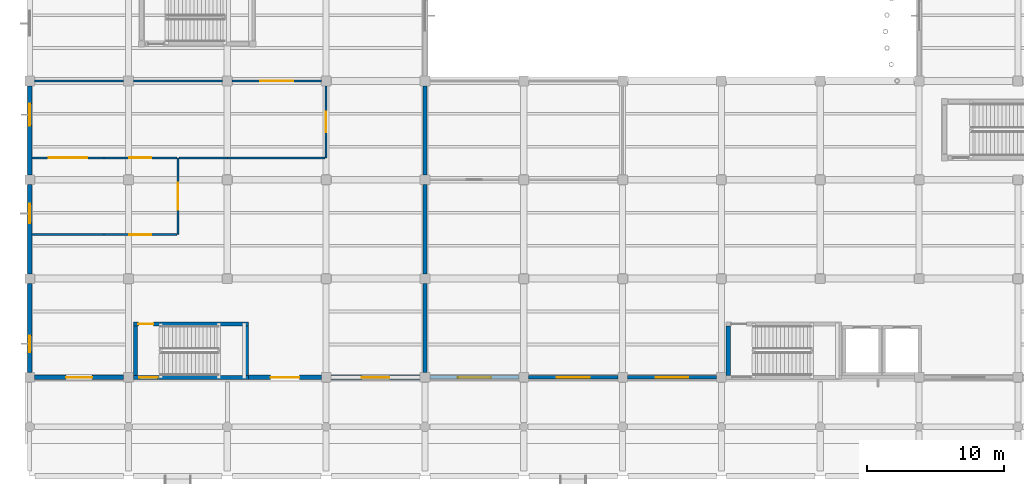
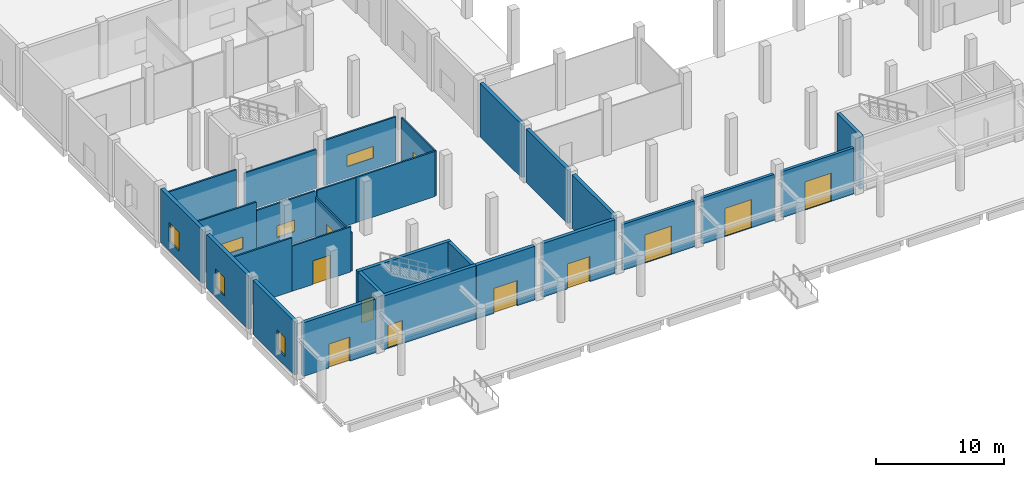
# One storey, part 22 of 46: 28 walls, 10 doors, 7 windows, 17 openings.
"""IFC4 building model written with IfcOpenShell, lengths in metres."""

from ifc_helpers import new_model, si_unit, direction, frame, frame_2d, origin, place, context, subcontext, project, spatial, rectangle, extrude, material, layer, layer_set, type_object, element, fill, save


model = new_model("IFC4")

# Units and contexts
model_context = context("Model", 3, precision=1e-05, world=origin(), true_north=direction((0.0, 1.0)))
body_context = subcontext(model_context, "Body", "Model", "MODEL_VIEW")
ifc_project = project(units=[si_unit("LENGTHUNIT", "METRE"), si_unit("AREAUNIT", "SQUARE_METRE"), si_unit("VOLUMEUNIT", "CUBIC_METRE"), si_unit("PLANEANGLEUNIT", "RADIAN"), si_unit("MASSUNIT", "GRAM", prefix="KILO"), si_unit("THERMODYNAMICTEMPERATUREUNIT", "KELVIN"), si_unit("POWERUNIT", "WATT")], contexts=[model_context])

# Site, building, storey
site_placement = place(None, origin())
site = spatial("IfcSite", under=ifc_project, at=site_placement, CompositionType="ELEMENT")
building_placement = place(site_placement, origin())
building = spatial("IfcBuilding", under=site, at=building_placement, Name="Kaldorven Railside Theatre", CompositionType="ELEMENT")
storey_placement = place(building_placement, origin())
storey = spatial("IfcBuildingStorey", under=building, at=storey_placement, Name="L00", CompositionType="ELEMENT", Elevation=0.0)

# Wall, opening, door
ifc_material_1 = material(Name="Architectural concrete C40/50", Category="concrete")
ifc_layer_1 = layer(ifc_material_1, 0.320068359375, Name="Architectural concrete C40/50")
ifc_layer_set_1 = layer_set([ifc_layer_1], Name="Architectural concrete C40/50")
wall_type_1 = type_object("IfcWallType", Name="WL-EW04", PredefinedType="SOLIDWALL", material=ifc_layer_set_1)
wall_1_placement = place(storey_placement, frame((36.449951171875, 19.199951171875, 0.0), z_axis=(0.0, 0.0, 1.0), x_axis=(-1.0, 0.0, 0.0)))
wall_1 = element("IfcWall", 1, at=wall_1_placement, inside=storey, type_object=wall_type_1, Name="V3 L00 Exterior Wall EW-0132", PredefinedType="SOLIDWALL", context=body_context, shape_type="SweptSolid", body=[
    extrude(rectangle(XDim=6.5, YDim=0.320068359375, at=frame_2d((3.25, 0.0))), origin(), (0.0, 0.0, 1.0), 5.1201171875),
])
opening_1_placement = place(wall_1_placement, frame((2.25, 0.0, 0.0)))
opening_1 = element("IfcOpeningElement", 2, at=opening_1_placement, cuts=wall_1, Name="Opening ED-001", PredefinedType="OPENING", context=body_context, shape_type="SweptSolid", body=[
    extrude(rectangle(XDim=2.0, YDim=2.39990234375, at=frame_2d((1.0, 1.199951171875))), frame((0.0, 0.169921875, 0.0), z_axis=(0.0, -1.0, 0.0), x_axis=(1.0, 0.0, 0.0)), (0.0, 0.0, 1.0), 0.340087890625),
])
ifc_material_2 = material(Name="Anodised bronze aluminium", Category="aluminium")
door_type_1 = type_object("IfcDoorType", Name="DR-ED01", OperationType="NOTDEFINED", PredefinedType="DOOR", material=ifc_material_2)
door_1_placement = place(opening_1_placement, origin())
door_1 = element("IfcDoor", 3, at=door_1_placement, inside=storey, type_object=door_type_1, Name="Main Entrance ED-001", OperationType="DOUBLE_DOOR_SINGLE_SWING", OverallHeight=2.39990234375, OverallWidth=2.0, PredefinedType="DOOR", context=body_context, shape_type="SweptSolid", body=[
    extrude(rectangle(XDim=2.0, YDim=2.39990234375, at=frame_2d((1.0, 1.199951171875))), frame((0.0, 0.02490234375, 0.0), z_axis=(0.0, -1.0, 0.0), x_axis=(1.0, 0.0, 0.0)), (0.0, 0.0, 1.0), 0.050048828125),
])
fill(opening_1, door_1)

wall_2_placement = place(storey_placement, frame((29.25, 19.199951171875, 0.0), z_axis=(0.0, 0.0, 1.0), x_axis=(-1.0, 0.0, 0.0)))
wall_2 = element("IfcWall", 4, at=wall_2_placement, inside=storey, type_object=wall_type_1, Name="V3 L00 Exterior Wall EW-0133", PredefinedType="SOLIDWALL", context=body_context, shape_type="SweptSolid", body=[
    extrude(rectangle(XDim=5.300048828125, YDim=0.320068359375, at=frame_2d((2.64990234375, 0.0))), origin(), (0.0, 0.0, 1.0), 5.1201171875),
])
opening_2_placement = place(wall_2_placement, frame((1.60009765625, 0.0, 0.0)))
opening_2 = element("IfcOpeningElement", 5, at=opening_2_placement, cuts=wall_2, Name="Opening ED-002", PredefinedType="OPENING", context=body_context, shape_type="SweptSolid", body=[
    extrude(rectangle(XDim=2.10009765625, YDim=2.39990234375, at=frame_2d((1.050048828125, 1.199951171875))), frame((0.0, 0.169921875, 0.0), z_axis=(0.0, -1.0, 0.0), x_axis=(1.0, 0.0, 0.0)), (0.0, 0.0, 1.0), 0.340087890625),
])
door_type_2 = type_object("IfcDoorType", Name="DR-ED02", OperationType="NOTDEFINED", PredefinedType="DOOR", material=ifc_material_2)
door_2_placement = place(opening_2_placement, origin())
door_2 = element("IfcDoor", 6, at=door_2_placement, inside=storey, type_object=door_type_2, Name="Main Entrance ED-002", OperationType="DOUBLE_DOOR_SINGLE_SWING", OverallHeight=2.39990234375, OverallWidth=2.10009765625, PredefinedType="DOOR", context=body_context, shape_type="SweptSolid", body=[
    extrude(rectangle(XDim=2.10009765625, YDim=2.39990234375, at=frame_2d((1.050048828125, 1.199951171875))), frame((0.0, 0.02490234375, 0.0), z_axis=(0.0, -1.0, 0.0), x_axis=(1.0, 0.0, 0.0)), (0.0, 0.0, 1.0), 0.050048828125),
])
fill(opening_2, door_2)

wall_3_placement = place(storey_placement, frame((14.85009765625, 19.199951171875, 0.0), z_axis=(0.0, 0.0, 1.0), x_axis=(-1.0, 0.0, 0.0)))
wall_3 = element("IfcWall", 7, at=wall_3_placement, inside=storey, type_object=wall_type_1, Name="V3 L00 Exterior Wall EW-0134", PredefinedType="SOLIDWALL", context=body_context, shape_type="SweptSolid", body=[
    extrude(rectangle(XDim=6.5, YDim=0.320068359375, at=frame_2d((3.25, 0.0))), origin(), (0.0, 0.0, 1.0), 5.1201171875),
])
opening_3_placement = place(wall_3_placement, frame((2.300048828125, 0.0, 0.0)))
opening_3 = element("IfcOpeningElement", 8, at=opening_3_placement, cuts=wall_3, Name="Opening ED-003", PredefinedType="OPENING", context=body_context, shape_type="SweptSolid", body=[
    extrude(rectangle(XDim=1.89990234375, YDim=2.300048828125, at=frame_2d((0.949951171875, 1.14990234375))), frame((0.0, 0.169921875, 0.0), z_axis=(0.0, -1.0, 0.0), x_axis=(1.0, 0.0, 0.0)), (0.0, 0.0, 1.0), 0.340087890625),
])
door_type_3 = type_object("IfcDoorType", Name="DR-ED03", OperationType="NOTDEFINED", PredefinedType="DOOR", material=ifc_material_2)
door_3_placement = place(opening_3_placement, origin())
door_3 = element("IfcDoor", 9, at=door_3_placement, inside=storey, type_object=door_type_3, Name="Main Entrance ED-003", OperationType="DOUBLE_DOOR_SINGLE_SWING", OverallHeight=2.300048828125, OverallWidth=1.89990234375, PredefinedType="DOOR", context=body_context, shape_type="SweptSolid", body=[
    extrude(rectangle(XDim=1.89990234375, YDim=2.300048828125, at=frame_2d((0.949951171875, 1.14990234375))), frame((0.0, 0.02490234375, 0.0), z_axis=(0.0, -1.0, 0.0), x_axis=(1.0, 0.0, 0.0)), (0.0, 0.0, 1.0), 0.050048828125),
])
fill(opening_3, door_3)

# Wall, opening, window
wall_4_placement = place(storey_placement, frame((8.0, 19.550048828125, 0.0), z_axis=(0.0, 0.0, 1.0), x_axis=(0.0, 1.0, 0.0)))
wall_4 = element("IfcWall", 10, at=wall_4_placement, inside=storey, type_object=wall_type_1, Name="V3 L00 Exterior Wall EW-0135", PredefinedType="SOLIDWALL", context=body_context, shape_type="SweptSolid", body=[
    extrude(rectangle(XDim=6.5, YDim=0.320068359375, at=frame_2d((3.25, 0.0))), origin(), (0.0, 0.0, 1.0), 5.1201171875),
])
opening_4_placement = place(wall_4_placement, frame((1.5, 0.0, 0.89990234375)))
opening_4 = element("IfcOpeningElement", 11, at=opening_4_placement, cuts=wall_4, Name="Opening WN-001", PredefinedType="OPENING", context=body_context, shape_type="SweptSolid", body=[
    extrude(rectangle(XDim=1.199951171875, YDim=1.800048828125, at=frame_2d((0.60009765625, 0.89990234375))), frame((0.0, 0.169921875, 0.0), z_axis=(0.0, -1.0, 0.0), x_axis=(1.0, 0.0, 0.0)), (0.0, 0.0, 1.0), 0.340087890625),
])
ifc_material_3 = material(Name="Low-E laminated solar-control glass", Category="glass")
window_type_1 = type_object("IfcWindowType", Name="WN-EW01", PartitioningType="SINGLE_PANEL", PredefinedType="WINDOW", material=ifc_material_3)
window_1_placement = place(opening_4_placement, origin())
window_1 = element("IfcWindow", 12, at=window_1_placement, inside=storey, type_object=window_type_1, Name="Shaded Acoustic Exterior Window WN-001", OverallHeight=1.800048828125, OverallWidth=1.199951171875, PartitioningType="SINGLE_PANEL", PredefinedType="WINDOW", context=body_context, shape_type="SweptSolid", body=[
    extrude(rectangle(XDim=1.199951171875, YDim=1.800048828125, at=frame_2d((0.60009765625, 0.89990234375))), frame((0.0, 0.030029296875, 0.0), z_axis=(0.0, -1.0, 0.0), x_axis=(1.0, 0.0, 0.0)), (0.0, 0.0, 1.0), 0.06005859375),
])
fill(opening_4, window_1)

wall_5_placement = place(storey_placement, frame((8.0, 26.75, 0.0), z_axis=(0.0, 0.0, 1.0), x_axis=(0.0, 1.0, 0.0)))
wall_5 = element("IfcWall", 13, at=wall_5_placement, inside=storey, type_object=wall_type_1, Name="V3 L00 Exterior Wall EW-0136", PredefinedType="SOLIDWALL", context=body_context, shape_type="SweptSolid", body=[
    extrude(rectangle(XDim=6.5, YDim=0.320068359375, at=frame_2d((3.25, 0.0))), origin(), (0.0, 0.0, 1.0), 5.1201171875),
])
opening_5_placement = place(wall_5_placement, frame((3.699951171875, 0.0, 0.89990234375)))
opening_5 = element("IfcOpeningElement", 14, at=opening_5_placement, cuts=wall_5, Name="Opening WN-002", PredefinedType="OPENING", context=body_context, shape_type="SweptSolid", body=[
    extrude(rectangle(XDim=1.39990234375, YDim=1.800048828125, at=frame_2d((0.699951171875, 0.89990234375))), frame((0.0, 0.169921875, 0.0), z_axis=(0.0, -1.0, 0.0), x_axis=(1.0, 0.0, 0.0)), (0.0, 0.0, 1.0), 0.340087890625),
])
window_type_2 = type_object("IfcWindowType", Name="WN-EW02", PartitioningType="SINGLE_PANEL", PredefinedType="WINDOW", material=ifc_material_3)
window_2_placement = place(opening_5_placement, origin())
window_2 = element("IfcWindow", 15, at=window_2_placement, inside=storey, type_object=window_type_2, Name="Shaded Acoustic Exterior Window WN-002", OverallHeight=1.800048828125, OverallWidth=1.39990234375, PartitioningType="SINGLE_PANEL", PredefinedType="WINDOW", context=body_context, shape_type="SweptSolid", body=[
    extrude(rectangle(XDim=1.39990234375, YDim=1.800048828125, at=frame_2d((0.699951171875, 0.89990234375))), frame((0.0, 0.030029296875, 0.0), z_axis=(0.0, -1.0, 0.0), x_axis=(1.0, 0.0, 0.0)), (0.0, 0.0, 1.0), 0.06005859375),
])
fill(opening_5, window_2)

wall_6_placement = place(storey_placement, frame((8.0, 33.949951171875, 0.0), z_axis=(0.0, 0.0, 1.0), x_axis=(0.0, 1.0, 0.0)))
wall_6 = element("IfcWall", 16, at=wall_6_placement, inside=storey, type_object=wall_type_1, Name="V3 L00 Exterior Wall EW-0137", PredefinedType="SOLIDWALL", context=body_context, shape_type="SweptSolid", body=[
    extrude(rectangle(XDim=6.5, YDim=0.320068359375, at=frame_2d((3.25, 0.0))), origin(), (0.0, 0.0, 1.0), 5.1201171875),
])
opening_6_placement = place(wall_6_placement, frame((3.60009765625, 0.0, 0.89990234375)))
opening_6 = element("IfcOpeningElement", 17, at=opening_6_placement, cuts=wall_6, Name="Opening WN-003", PredefinedType="OPENING", context=body_context, shape_type="SweptSolid", body=[
    extrude(rectangle(XDim=1.60009765625, YDim=1.800048828125, at=frame_2d((0.800048828125, 0.89990234375))), frame((0.0, 0.169921875, 0.0), z_axis=(0.0, -1.0, 0.0), x_axis=(1.0, 0.0, 0.0)), (0.0, 0.0, 1.0), 0.340087890625),
])
window_type_3 = type_object("IfcWindowType", Name="WN-EW03", PartitioningType="SINGLE_PANEL", PredefinedType="WINDOW", material=ifc_material_3)
window_3_placement = place(opening_6_placement, origin())
window_3 = element("IfcWindow", 18, at=window_3_placement, inside=storey, type_object=window_type_3, Name="Shaded Acoustic Exterior Window WN-003", OverallHeight=1.800048828125, OverallWidth=1.60009765625, PartitioningType="SINGLE_PANEL", PredefinedType="WINDOW", context=body_context, shape_type="SweptSolid", body=[
    extrude(rectangle(XDim=1.60009765625, YDim=1.800048828125, at=frame_2d((0.800048828125, 0.89990234375))), frame((0.0, 0.030029296875, 0.0), z_axis=(0.0, -1.0, 0.0), x_axis=(1.0, 0.0, 0.0)), (0.0, 0.0, 1.0), 0.06005859375),
])
fill(opening_6, window_3)

# Walls
for number, where, z_axis, x_axis, name in (
    (19, (36.800048828125, 40.449951171875, 0.0), (0.0, 0.0, 1.0), (0.0, -1.0, 0.0), "V3 L00 Exterior Wall EW-0144"),
    (20, (36.800048828125, 33.25, 0.0), (0.0, 0.0, 1.0), (0.0, -1.0, 0.0), "V3 L00 Exterior Wall EW-0145"),
    (21, (36.800048828125, 26.050048828125, 0.0), (0.0, 0.0, 1.0), (0.0, -1.0, 0.0), "V3 L00 Exterior Wall EW-0146"),
):
    element("IfcWall", number, at=place(storey_placement, frame(where, z_axis=z_axis, x_axis=x_axis)), inside=storey, type_object=wall_type_1, Name=name, PredefinedType="SOLIDWALL", context=body_context, shape_type="SweptSolid", body=[
        extrude(rectangle(XDim=6.5, YDim=0.320068359375, at=frame_2d((3.25, 0.0))), origin(), (0.0, 0.0, 1.0), 5.10009765625),
    ])

# Wall, opening, door
ifc_material_4 = material(Name="Precast concrete C40/50", Category="concrete")
ifc_layer_2 = layer(ifc_material_4, 0.25, Name="Precast concrete C40/50")
ifc_layer_set_2 = layer_set([ifc_layer_2], Name="Precast concrete C40/50")
wall_type_2 = type_object("IfcWallType", Name="WL-EW06", PredefinedType="SOLIDWALL", material=ifc_layer_set_2)
wall_7_placement = place(storey_placement, frame((58.050048828125, 19.199951171875, 0.0), z_axis=(0.0, 0.0, 1.0), x_axis=(-1.0, 0.0, 0.0)))
wall_7 = element("IfcWall", 22, at=wall_7_placement, inside=storey, type_object=wall_type_2, Name="V5 L00 Exterior Wall EW-0202", PredefinedType="SOLIDWALL", context=body_context, shape_type="SweptSolid", body=[
    extrude(rectangle(XDim=6.5, YDim=0.25, at=frame_2d((3.25, 0.0))), origin(), (0.0, 0.0, 1.0), 4.39501953125),
])
opening_7_placement = place(wall_7_placement, frame((2.050048828125, 0.0, 0.0)))
opening_7 = element("IfcOpeningElement", 23, at=opening_7_placement, cuts=wall_7, Name="Opening ED-010", PredefinedType="OPENING", context=body_context, shape_type="SweptSolid", body=[
    extrude(rectangle(XDim=2.39990234375, YDim=2.699951171875, at=frame_2d((1.199951171875, 1.35009765625))), frame((0.0, 0.135009765625, 0.0), z_axis=(0.0, -1.0, 0.0), x_axis=(1.0, 0.0, 0.0)), (0.0, 0.0, 1.0), 0.27001953125),
])
ifc_material_5 = material(Name="Powder-coated hollow-metal steel", Category="steel")
door_type_4 = type_object("IfcDoorType", Name="DR-ED11", OperationType="NOTDEFINED", PredefinedType="DOOR", material=ifc_material_5)
door_4_placement = place(opening_7_placement, origin())
door_4 = element("IfcDoor", 24, at=door_4_placement, inside=storey, type_object=door_type_4, Name="Pedestrian Final Exit ED-010", OperationType="DOUBLE_DOOR_SINGLE_SWING", OverallHeight=2.699951171875, OverallWidth=2.39990234375, PredefinedType="DOOR", context=body_context, shape_type="SweptSolid", body=[
    extrude(rectangle(XDim=2.39990234375, YDim=2.699951171875, at=frame_2d((1.199951171875, 1.35009765625))), frame((0.0, 0.02490234375, 0.0), z_axis=(0.0, -1.0, 0.0), x_axis=(1.0, 0.0, 0.0)), (0.0, 0.0, 1.0), 0.050048828125),
])
fill(opening_7, door_4)

wall_8_placement = place(storey_placement, frame((50.85009765625, 19.199951171875, 0.0), z_axis=(0.0, 0.0, 1.0), x_axis=(-1.0, 0.0, 0.0)))
wall_8 = element("IfcWall", 25, at=wall_8_placement, inside=storey, type_object=wall_type_2, Name="V5 L00 Exterior Wall EW-0203", PredefinedType="SOLIDWALL", context=body_context, shape_type="SweptSolid", body=[
    extrude(rectangle(XDim=6.5, YDim=0.25, at=frame_2d((3.25, 0.0))), origin(), (0.0, 0.0, 1.0), 4.39501953125),
])
opening_8_placement = place(wall_8_placement, frame((2.050048828125, 0.0, 0.0)))
opening_8 = element("IfcOpeningElement", 26, at=opening_8_placement, cuts=wall_8, Name="Opening ED-011", PredefinedType="OPENING", context=body_context, shape_type="SweptSolid", body=[
    extrude(rectangle(XDim=2.39990234375, YDim=2.699951171875, at=frame_2d((1.199951171875, 1.35009765625))), frame((0.0, 0.135009765625, 0.0), z_axis=(0.0, -1.0, 0.0), x_axis=(1.0, 0.0, 0.0)), (0.0, 0.0, 1.0), 0.27001953125),
])
door_5_placement = place(opening_8_placement, origin())
door_5 = element("IfcDoor", 27, at=door_5_placement, inside=storey, type_object=door_type_4, Name="Pedestrian Final Exit ED-011", OperationType="DOUBLE_DOOR_SINGLE_SWING", OverallHeight=2.699951171875, OverallWidth=2.39990234375, PredefinedType="DOOR", context=body_context, shape_type="SweptSolid", body=[
    extrude(rectangle(XDim=2.39990234375, YDim=2.699951171875, at=frame_2d((1.199951171875, 1.35009765625))), frame((0.0, 0.02490234375, 0.0), z_axis=(0.0, -1.0, 0.0), x_axis=(1.0, 0.0, 0.0)), (0.0, 0.0, 1.0), 0.050048828125),
])
fill(opening_8, door_5)

wall_9_placement = place(storey_placement, frame((43.64990234375, 19.199951171875, 0.0), z_axis=(0.0, 0.0, 1.0), x_axis=(-1.0, 0.0, 0.0)))
wall_9 = element("IfcWall", 28, at=wall_9_placement, inside=storey, type_object=wall_type_2, Name="V5 L00 Exterior Wall EW-0204", PredefinedType="SOLIDWALL", context=body_context, shape_type="SweptSolid", body=[
    extrude(rectangle(XDim=6.5, YDim=0.25, at=frame_2d((3.25, 0.0))), origin(), (0.0, 0.0, 1.0), 4.39501953125),
])
opening_9_placement = place(wall_9_placement, frame((2.050048828125, 0.0, 0.0)))
opening_9 = element("IfcOpeningElement", 29, at=opening_9_placement, cuts=wall_9, Name="Opening ED-012", PredefinedType="OPENING", context=body_context, shape_type="SweptSolid", body=[
    extrude(rectangle(XDim=2.39990234375, YDim=2.699951171875, at=frame_2d((1.199951171875, 1.35009765625))), frame((0.0, 0.135009765625, 0.0), z_axis=(0.0, -1.0, 0.0), x_axis=(1.0, 0.0, 0.0)), (0.0, 0.0, 1.0), 0.27001953125),
])
door_6_placement = place(opening_9_placement, origin())
door_6 = element("IfcDoor", 30, at=door_6_placement, inside=storey, type_object=door_type_4, Name="Pedestrian Final Exit ED-012", OperationType="DOUBLE_DOOR_SINGLE_SWING", OverallHeight=2.699951171875, OverallWidth=2.39990234375, PredefinedType="DOOR", context=body_context, shape_type="SweptSolid", body=[
    extrude(rectangle(XDim=2.39990234375, YDim=2.699951171875, at=frame_2d((1.199951171875, 1.35009765625))), frame((0.0, 0.02490234375, 0.0), z_axis=(0.0, -1.0, 0.0), x_axis=(1.0, 0.0, 0.0)), (0.0, 0.0, 1.0), 0.050048828125),
])
fill(opening_9, door_6)

# Wall, opening, window
ifc_material_6 = material(Name="Acoustic gypsum board")
ifc_layer_3 = layer(ifc_material_6, 0.14990234375, Name="Acoustic gypsum board")
ifc_layer_set_3 = layer_set([ifc_layer_3], Name="Acoustic gypsum board")
wall_type_3 = type_object("IfcWallType", Name="WL-IW-AC1", PredefinedType="PARTITIONING", material=ifc_layer_set_3)
wall_10_placement = place(storey_placement, frame((18.800048828125, 29.60009765625, 0.0), z_axis=(0.0, 0.0, 1.0), x_axis=(0.0, 1.0, 0.0)))
wall_10 = element("IfcWall", 31, at=wall_10_placement, inside=storey, type_object=wall_type_3, Name="L00 Interior Wall IW-0445", PredefinedType="PARTITIONING", context=body_context, shape_type="SweptSolid", body=[
    extrude(rectangle(XDim=5.599853515625, YDim=0.14990234375, at=frame_2d((2.7998046875, 0.0))), origin(), (0.0, 0.0, 1.0), 3.715087890625),
])
opening_10_placement = place(wall_10_placement, frame((1.800048828125, 0.0, 1.10009765625)))
opening_10 = element("IfcOpeningElement", 32, at=opening_10_placement, cuts=wall_10, Name="Opening IWN-002", PredefinedType="OPENING", context=body_context, shape_type="SweptSolid", body=[
    extrude(rectangle(XDim=2.0, YDim=1.10009765625, at=frame_2d((1.0, 0.550048828125))), frame((0.0, 0.0849609375, 0.0), z_axis=(0.0, -1.0, 0.0), x_axis=(1.0, 0.0, 0.0)), (0.0, 0.0, 1.0), 0.169921875),
])
window_type_4 = type_object("IfcWindowType", Name="WN-IW02", PartitioningType="SINGLE_PANEL", PredefinedType="WINDOW", material=ifc_material_3)
window_4_placement = place(opening_10_placement, origin())
window_4 = element("IfcWindow", 33, at=window_4_placement, inside=storey, type_object=window_type_4, Name="Acoustic Observation Window IWN-002", OverallHeight=1.10009765625, OverallWidth=2.0, PartitioningType="SINGLE_PANEL", PredefinedType="WINDOW", context=body_context, shape_type="SweptSolid", body=[
    extrude(rectangle(XDim=2.0, YDim=1.10009765625, at=frame_2d((1.0, 0.550048828125))), frame((0.0, 0.030029296875, 0.0), z_axis=(0.0, -1.0, 0.0), x_axis=(1.0, 0.0, 0.0)), (0.0, 0.0, 1.0), 0.06005859375),
])
fill(opening_10, window_4)

wall_11_placement = place(storey_placement, frame((18.722900390625, 35.199951171875, 0.0), z_axis=(0.0, 0.0, 1.0), x_axis=(-1.0, 0.0, 0.0)))
wall_11 = element("IfcWall", 34, at=wall_11_placement, inside=storey, type_object=wall_type_3, Name="L00 Interior Wall IW-0446", PredefinedType="PARTITIONING", context=body_context, shape_type="SweptSolid", body=[
    extrude(rectangle(XDim=5.322998046875, YDim=0.14990234375, at=frame_2d((2.66162109375, 0.0))), origin(), (0.0, 0.0, 1.0), 4.31494140625),
])
opening_11_placement = place(wall_11_placement, frame((1.861572265625, 0.0, 1.10009765625)))
opening_11 = element("IfcOpeningElement", 35, at=opening_11_placement, cuts=wall_11, Name="Opening IWN-001", PredefinedType="OPENING", context=body_context, shape_type="SweptSolid", body=[
    extrude(rectangle(XDim=1.60009765625, YDim=1.10009765625, at=frame_2d((0.800048828125, 0.550048828125))), frame((0.0, 0.0849609375, 0.0), z_axis=(0.0, -1.0, 0.0), x_axis=(1.0, 0.0, 0.0)), (0.0, 0.0, 1.0), 0.169921875),
])
window_type_5 = type_object("IfcWindowType", Name="WN-IW01", PartitioningType="SINGLE_PANEL", PredefinedType="WINDOW", material=ifc_material_3)
window_5_placement = place(opening_11_placement, origin())
window_5 = element("IfcWindow", 36, at=window_5_placement, inside=storey, type_object=window_type_5, Name="Acoustic Observation Window IWN-001", OverallHeight=1.10009765625, OverallWidth=1.60009765625, PartitioningType="SINGLE_PANEL", PredefinedType="WINDOW", context=body_context, shape_type="SweptSolid", body=[
    extrude(rectangle(XDim=1.60009765625, YDim=1.10009765625, at=frame_2d((0.800048828125, 0.550048828125))), frame((0.0, 0.030029296875, 0.0), z_axis=(0.0, -1.0, 0.0), x_axis=(1.0, 0.0, 0.0)), (0.0, 0.0, 1.0), 0.06005859375),
])
fill(opening_11, window_5)

wall_12_placement = place(storey_placement, frame((13.39990234375, 35.199951171875, 0.0), z_axis=(0.0, 0.0, 1.0), x_axis=(-1.0, 0.0, 0.0)))
wall_12 = element("IfcWall", 37, at=wall_12_placement, inside=storey, type_object=wall_type_3, Name="L00 Interior Wall IW-0447", PredefinedType="PARTITIONING", context=body_context, shape_type="SweptSolid", body=[
    extrude(rectangle(XDim=5.23779296875, YDim=0.14990234375, at=frame_2d((2.618896484375, 0.0))), origin(), (0.0, 0.0, 1.0), 5.1201171875),
])
opening_12_placement = place(wall_12_placement, frame((1.218994140625, 0.0, 1.10009765625)))
opening_12 = element("IfcOpeningElement", 38, at=opening_12_placement, cuts=wall_12, Name="Opening IWN-004", PredefinedType="OPENING", context=body_context, shape_type="SweptSolid", body=[
    extrude(rectangle(XDim=2.800048828125, YDim=1.10009765625, at=frame_2d((1.39990234375, 0.550048828125))), frame((0.0, 0.0849609375, 0.0), z_axis=(0.0, -1.0, 0.0), x_axis=(1.0, 0.0, 0.0)), (0.0, 0.0, 1.0), 0.169921875),
])
window_type_6 = type_object("IfcWindowType", Name="WN-IW04", PartitioningType="SINGLE_PANEL", PredefinedType="WINDOW", material=ifc_material_3)
window_6_placement = place(opening_12_placement, origin())
window_6 = element("IfcWindow", 39, at=window_6_placement, inside=storey, type_object=window_type_6, Name="Acoustic Observation Window IWN-004", OverallHeight=1.10009765625, OverallWidth=2.800048828125, PartitioningType="SINGLE_PANEL", PredefinedType="WINDOW", context=body_context, shape_type="SweptSolid", body=[
    extrude(rectangle(XDim=2.800048828125, YDim=1.10009765625, at=frame_2d((1.39990234375, 0.550048828125))), frame((0.0, 0.030029296875, 0.0), z_axis=(0.0, -1.0, 0.0), x_axis=(1.0, 0.0, 0.0)), (0.0, 0.0, 1.0), 0.06005859375),
])
fill(opening_12, window_6)

# Wall
wall_13_placement = place(storey_placement, frame((8.162109375, 29.60009765625, 0.0), z_axis=(0.0, 0.0, 1.0), x_axis=(1.0, 0.0, 0.0)))
element("IfcWall", 40, at=wall_13_placement, inside=storey, type_object=wall_type_3, Name="L00 Interior Wall IW-0448", PredefinedType="PARTITIONING", context=body_context, shape_type="SweptSolid", body=[
    extrude(rectangle(XDim=5.23779296875, YDim=0.14990234375, at=frame_2d((2.618896484375, 0.0))), origin(), (0.0, 0.0, 1.0), 5.1201171875),
])

# Wall, opening, door
wall_14_placement = place(storey_placement, frame((13.39990234375, 29.60009765625, 0.0), z_axis=(0.0, 0.0, 1.0), x_axis=(1.0, 0.0, 0.0)))
wall_14 = element("IfcWall", 41, at=wall_14_placement, inside=storey, type_object=wall_type_3, Name="L00 Interior Wall IW-0449", PredefinedType="PARTITIONING", context=body_context, shape_type="SweptSolid", body=[
    extrude(rectangle(XDim=5.322998046875, YDim=0.14990234375, at=frame_2d((2.66162109375, 0.0))), origin(), (0.0, 0.0, 1.0), 4.31494140625),
])
opening_13_placement = place(wall_14_placement, frame((1.861572265625, 0.0, 0.0)))
opening_13 = element("IfcOpeningElement", 42, at=opening_13_placement, cuts=wall_14, Name="Opening ID-0101", PredefinedType="OPENING", context=body_context, shape_type="SweptSolid", body=[
    extrude(rectangle(XDim=1.60009765625, YDim=2.25, at=frame_2d((0.800048828125, 1.125))), frame((0.0, 0.0849609375, 0.0), z_axis=(0.0, -1.0, 0.0), x_axis=(1.0, 0.0, 0.0)), (0.0, 0.0, 1.0), 0.169921875),
])
ifc_material_7 = material(Name="Acoustic hardwood timber", Category="wood")
door_type_5 = type_object("IfcDoorType", Name="DR-ID-REH1", OperationType="NOTDEFINED", PredefinedType="DOOR", material=ifc_material_7)
door_7_placement = place(opening_13_placement, origin())
door_7 = element("IfcDoor", 43, at=door_7_placement, inside=storey, type_object=door_type_5, Name="Theatre Shop Entry Door", OperationType="DOUBLE_DOOR_SINGLE_SWING", OverallHeight=2.25, OverallWidth=1.60009765625, PredefinedType="DOOR", context=body_context, shape_type="SweptSolid", body=[
    extrude(rectangle(XDim=1.60009765625, YDim=2.25, at=frame_2d((0.800048828125, 1.125))), frame((0.0, 0.02490234375, 0.0), z_axis=(0.0, -1.0, 0.0), x_axis=(1.0, 0.0, 0.0)), (0.0, 0.0, 1.0), 0.050048828125),
])
fill(opening_13, door_7)

wall_15_placement = place(storey_placement, frame((29.60009765625, 35.199951171875, 0.0), z_axis=(0.0, 0.0, 1.0), x_axis=(0.0, 1.0, 0.0)))
wall_15 = element("IfcWall", 44, at=wall_15_placement, inside=storey, type_object=wall_type_3, Name="L00 Interior Wall IW-0450", PredefinedType="PARTITIONING", context=body_context, shape_type="SweptSolid", body=[
    extrude(rectangle(XDim=5.25, YDim=0.14990234375, at=frame_2d((2.625, 0.0))), origin(), (0.0, 0.0, 1.0), 4.31494140625),
])
opening_14_placement = place(wall_15_placement, frame((1.875, 0.0, 0.0)))
opening_14 = element("IfcOpeningElement", 45, at=opening_14_placement, cuts=wall_15, Name="Opening ID-0102", PredefinedType="OPENING", context=body_context, shape_type="SweptSolid", body=[
    extrude(rectangle(XDim=1.5, YDim=2.199951171875, at=frame_2d((0.75, 1.10009765625))), frame((0.0, 0.0849609375, 0.0), z_axis=(0.0, -1.0, 0.0), x_axis=(1.0, 0.0, 0.0)), (0.0, 0.0, 1.0), 0.169921875),
])
door_type_6 = type_object("IfcDoorType", Name="DR-ID-REH2", OperationType="NOTDEFINED", PredefinedType="DOOR", material=ifc_material_7)
door_8_placement = place(opening_14_placement, origin())
door_8 = element("IfcDoor", 46, at=door_8_placement, inside=storey, type_object=door_type_6, Name="Drama Rehearsal Room Entry Door", OperationType="DOUBLE_DOOR_SINGLE_SWING", OverallHeight=2.199951171875, OverallWidth=1.5, PredefinedType="DOOR", context=body_context, shape_type="SweptSolid", body=[
    extrude(rectangle(XDim=1.5, YDim=2.199951171875, at=frame_2d((0.75, 1.10009765625))), frame((0.0, 0.02490234375, 0.0), z_axis=(0.0, -1.0, 0.0), x_axis=(1.0, 0.0, 0.0)), (0.0, 0.0, 1.0), 0.050048828125),
])
fill(opening_14, door_8)

# Wall, opening, window
wall_16_placement = place(storey_placement, frame((29.25, 40.800048828125, 0.0), z_axis=(0.0, 0.0, 1.0), x_axis=(-1.0, 0.0, 0.0)))
wall_16 = element("IfcWall", 47, at=wall_16_placement, inside=storey, type_object=wall_type_3, Name="L00 Interior Wall IW-0451", PredefinedType="PARTITIONING", context=body_context, shape_type="SweptSolid", body=[
    extrude(rectangle(XDim=6.5, YDim=0.14990234375, at=frame_2d((3.25, 0.0))), origin(), (0.0, 0.0, 1.0), 4.31494140625),
])
opening_15_placement = place(wall_16_placement, frame((2.050048828125, 0.0, 1.10009765625)))
opening_15 = element("IfcOpeningElement", 48, at=opening_15_placement, cuts=wall_16, Name="Opening IWN-003", PredefinedType="OPENING", context=body_context, shape_type="SweptSolid", body=[
    extrude(rectangle(XDim=2.39990234375, YDim=1.10009765625, at=frame_2d((1.199951171875, 0.550048828125))), frame((0.0, 0.0849609375, 0.0), z_axis=(0.0, -1.0, 0.0), x_axis=(1.0, 0.0, 0.0)), (0.0, 0.0, 1.0), 0.169921875),
])
window_type_7 = type_object("IfcWindowType", Name="WN-IW03", PartitioningType="SINGLE_PANEL", PredefinedType="WINDOW", material=ifc_material_3)
window_7_placement = place(opening_15_placement, origin())
window_7 = element("IfcWindow", 49, at=window_7_placement, inside=storey, type_object=window_type_7, Name="Acoustic Observation Window IWN-003", OverallHeight=1.10009765625, OverallWidth=2.39990234375, PartitioningType="SINGLE_PANEL", PredefinedType="WINDOW", context=body_context, shape_type="SweptSolid", body=[
    extrude(rectangle(XDim=2.39990234375, YDim=1.10009765625, at=frame_2d((1.199951171875, 0.550048828125))), frame((0.0, 0.030029296875, 0.0), z_axis=(0.0, -1.0, 0.0), x_axis=(1.0, 0.0, 0.0)), (0.0, 0.0, 1.0), 0.06005859375),
])
fill(opening_15, window_7)

# Walls
wall_17_placement = place(storey_placement, frame((22.050048828125, 40.800048828125, 0.0), z_axis=(0.0, 0.0, 1.0), x_axis=(-1.0, 0.0, 0.0)))
element("IfcWall", 50, at=wall_17_placement, inside=storey, type_object=wall_type_3, Name="L00 Interior Wall IW-0452", PredefinedType="PARTITIONING", context=body_context, shape_type="SweptSolid", body=[
    extrude(rectangle(XDim=6.5, YDim=0.14990234375, at=frame_2d((3.25, 0.0))), origin(), (0.0, 0.0, 1.0), 3.715087890625),
])
wall_18_placement = place(storey_placement, frame((14.85009765625, 40.800048828125, 0.0), z_axis=(0.0, 0.0, 1.0), x_axis=(-1.0, 0.0, 0.0)))
element("IfcWall", 51, at=wall_18_placement, inside=storey, type_object=wall_type_3, Name="L00 Interior Wall IW-0453", PredefinedType="PARTITIONING", context=body_context, shape_type="SweptSolid", body=[
    extrude(rectangle(XDim=6.5, YDim=0.14990234375, at=frame_2d((3.25, 0.0))), origin(), (0.0, 0.0, 1.0), 4.31494140625),
])
wall_19_placement = place(storey_placement, frame((18.876953125, 35.199951171875, 0.0), z_axis=(0.0, 0.0, 1.0), x_axis=(1.0, 0.0, 0.0)))
element("IfcWall", 52, at=wall_19_placement, inside=storey, type_object=wall_type_3, Name="L00 Interior Wall IW-0454", PredefinedType="PARTITIONING", context=body_context, shape_type="SweptSolid", body=[
    extrude(rectangle(XDim=3.52294921875, YDim=0.14990234375, at=frame_2d((1.761474609375, 0.0))), origin(), (0.0, 0.0, 1.0), 4.31494140625),
])
wall_20_placement = place(storey_placement, frame((22.39990234375, 35.199951171875, 0.0), z_axis=(0.0, 0.0, 1.0), x_axis=(1.0, 0.0, 0.0)))
element("IfcWall", 53, at=wall_20_placement, inside=storey, type_object=wall_type_3, Name="L00 Interior Wall IW-0455", PredefinedType="PARTITIONING", context=body_context, shape_type="SweptSolid", body=[
    extrude(rectangle(XDim=7.123046875, YDim=0.14990234375, at=frame_2d((3.5615234375, 0.0))), origin(), (0.0, 0.0, 1.0), 4.31494140625),
])

# Wall, opening, door
ifc_material_8 = material(Name="Concrete C40/50", Category="concrete")
ifc_layer_4 = layer(ifc_material_8, 0.300048828125, Name="Concrete C40/50")
ifc_layer_set_4 = layer_set([ifc_layer_4], Name="Concrete C40/50")
wall_type_4 = type_object("IfcWallType", Name="WL-IW-CORE", PredefinedType="SHEAR", material=ifc_layer_set_4)
wall_21_placement = place(storey_placement, frame((23.949951171875, 19.199951171875, 0.0), z_axis=(0.0, 0.0, 1.0), x_axis=(-1.0, 0.0, 0.0)))
wall_21 = element("IfcWall", 54, at=wall_21_placement, inside=storey, type_object=wall_type_4, Name="L00 Core Wall CW-0005", PredefinedType="SHEAR", context=body_context, shape_type="SweptSolid", body=[
    extrude(rectangle(XDim=8.39990234375, YDim=0.300048828125, at=frame_2d((4.199951171875, 0.0))), origin(), (0.0, 0.0, 1.0), 5.1201171875),
])
opening_16_placement = place(wall_21_placement, frame((6.625, 0.0, 0.0)))
opening_16 = element("IfcOpeningElement", 55, at=opening_16_placement, cuts=wall_21, Name="Opening ED-201", PredefinedType="OPENING", context=body_context, shape_type="SweptSolid", body=[
    extrude(rectangle(XDim=1.35009765625, YDim=2.199951171875, at=frame_2d((0.675048828125, 1.10009765625))), frame((0.0, 0.16015625, 0.0), z_axis=(0.0, -1.0, 0.0), x_axis=(1.0, 0.0, 0.0)), (0.0, 0.0, 1.0), 0.320068359375),
])
door_type_7 = type_object("IfcDoorType", Name="DR-ED04", OperationType="NOTDEFINED", PredefinedType="DOOR", material=ifc_material_5)
door_9_placement = place(opening_16_placement, origin())
door_9 = element("IfcDoor", 56, at=door_9_placement, inside=storey, type_object=door_type_7, Name="Pedestrian Final Exit (ST-01)", OperationType="SINGLE_SWING_LEFT", OverallHeight=2.199951171875, OverallWidth=1.35009765625, PredefinedType="DOOR", context=body_context, shape_type="SweptSolid", body=[
    extrude(rectangle(XDim=1.35009765625, YDim=2.199951171875, at=frame_2d((0.675048828125, 1.10009765625))), frame((0.0, 0.02490234375, 0.0), z_axis=(0.0, -1.0, 0.0), x_axis=(1.0, 0.0, 0.0)), (0.0, 0.0, 1.0), 0.050048828125),
])
fill(opening_16, door_9)

# Wall
wall_22_placement = place(storey_placement, frame((15.699951171875, 19.35205078125, 0.0), z_axis=(0.0, 0.0, 1.0), x_axis=(0.0, 1.0, 0.0)))
element("IfcWall", 57, at=wall_22_placement, inside=storey, type_object=wall_type_4, Name="L00 Core Wall CW-0006", PredefinedType="SHEAR", context=body_context, shape_type="SweptSolid", body=[
    extrude(rectangle(XDim=3.597900390625, YDim=0.300048828125, at=frame_2d((1.798828125, 0.0))), origin(), (0.0, 0.0, 1.0), 5.1201171875),
])

# Wall, opening, door
wall_23_placement = place(storey_placement, frame((15.550048828125, 23.10009765625, 0.0), z_axis=(0.0, 0.0, 1.0), x_axis=(1.0, 0.0, 0.0)))
wall_23 = element("IfcWall", 58, at=wall_23_placement, inside=storey, type_object=wall_type_4, Name="L00 Core Wall CW-0007", PredefinedType="SHEAR", context=body_context, shape_type="SweptSolid", body=[
    extrude(rectangle(XDim=8.39990234375, YDim=0.300048828125, at=frame_2d((4.199951171875, 0.0))), origin(), (0.0, 0.0, 1.0), 5.1201171875),
])
opening_17_placement = place(wall_23_placement, frame((0.3701171875, 0.0, 0.0)))
opening_17 = element("IfcOpeningElement", 59, at=opening_17_placement, cuts=wall_23, Name="Opening ID-0002", PredefinedType="OPENING", context=body_context, shape_type="SweptSolid", body=[
    extrude(rectangle(XDim=1.10009765625, YDim=2.14990234375, at=frame_2d((0.550048828125, 1.074951171875))), frame((0.0, 0.16015625, 0.0), z_axis=(0.0, -1.0, 0.0), x_axis=(1.0, 0.0, 0.0)), (0.0, 0.0, 1.0), 0.320068359375),
])
door_type_8 = type_object("IfcDoorType", Name="DR-ID-FD60", OperationType="NOTDEFINED", PredefinedType="DOOR", material=ifc_material_7)
door_10_placement = place(opening_17_placement, origin())
door_10 = element("IfcDoor", 60, at=door_10_placement, inside=storey, type_object=door_type_8, Name="Stair ST-01 Fire Door", OperationType="SINGLE_SWING_RIGHT", OverallHeight=2.14990234375, OverallWidth=1.10009765625, PredefinedType="DOOR", context=body_context, shape_type="SweptSolid", body=[
    extrude(rectangle(XDim=1.10009765625, YDim=2.14990234375, at=frame_2d((0.550048828125, 1.074951171875))), frame((0.0, 0.02490234375, 0.0), z_axis=(0.0, -1.0, 0.0), x_axis=(1.0, 0.0, 0.0)), (0.0, 0.0, 1.0), 0.050048828125),
])
fill(opening_17, door_10)

# Walls
wall_24_placement = place(storey_placement, frame((23.800048828125, 22.947998046875, 0.0), z_axis=(0.0, 0.0, 1.0), x_axis=(0.0, -1.0, 0.0)))
element("IfcWall", 61, at=wall_24_placement, inside=storey, type_object=wall_type_4, Name="L00 Core Wall CW-0008", PredefinedType="SHEAR", context=body_context, shape_type="SweptSolid", body=[
    extrude(rectangle(XDim=3.595947265625, YDim=0.300048828125, at=frame_2d((1.7978515625, 0.0))), origin(), (0.0, 0.0, 1.0), 5.1201171875),
])
wall_25_placement = place(storey_placement, frame((58.89990234375, 19.35205078125, 0.0), z_axis=(0.0, 0.0, 1.0), x_axis=(0.0, 1.0, 0.0)))
element("IfcWall", 62, at=wall_25_placement, inside=storey, type_object=wall_type_4, Name="L00 Core Wall CW-0034", PredefinedType="SHEAR", context=body_context, shape_type="SweptSolid", body=[
    extrude(rectangle(XDim=3.597900390625, YDim=0.300048828125, at=frame_2d((1.798828125, 0.0))), origin(), (0.0, 0.0, 1.0), 5.10009765625),
])

save(model, "model.ifc")
